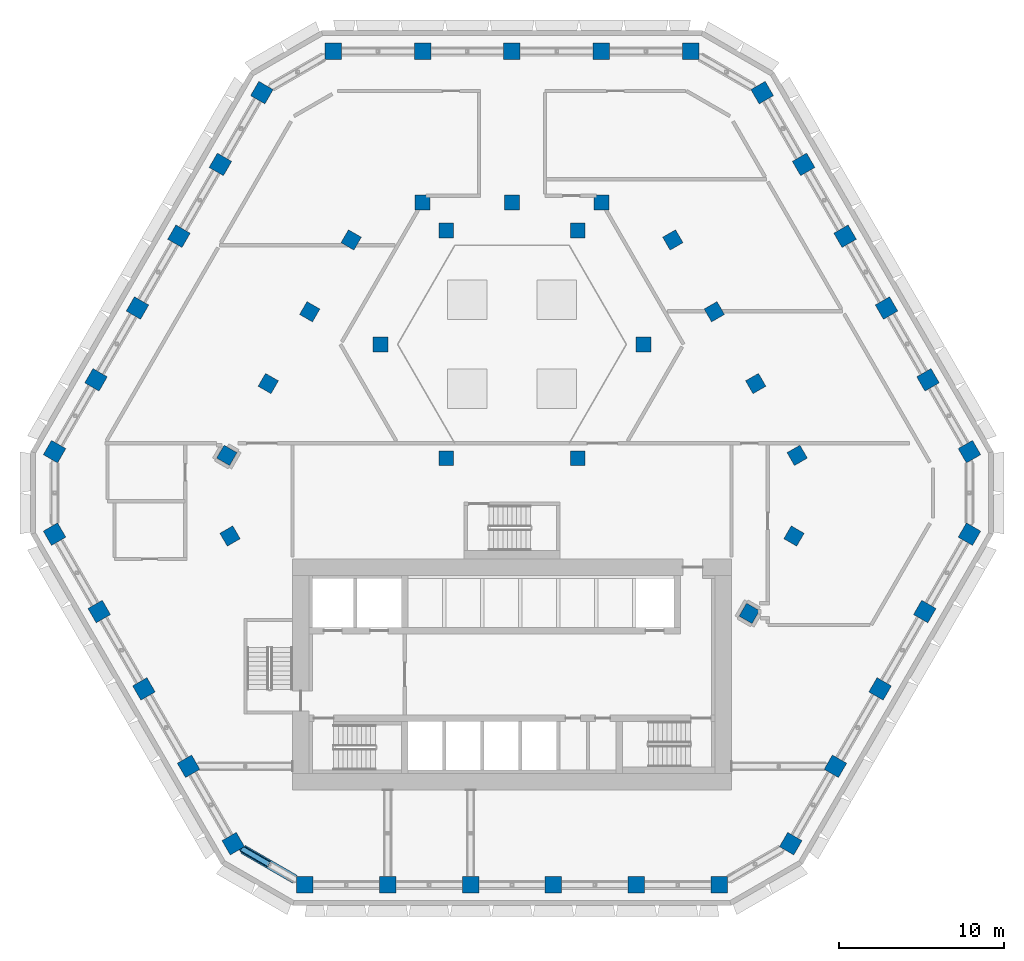
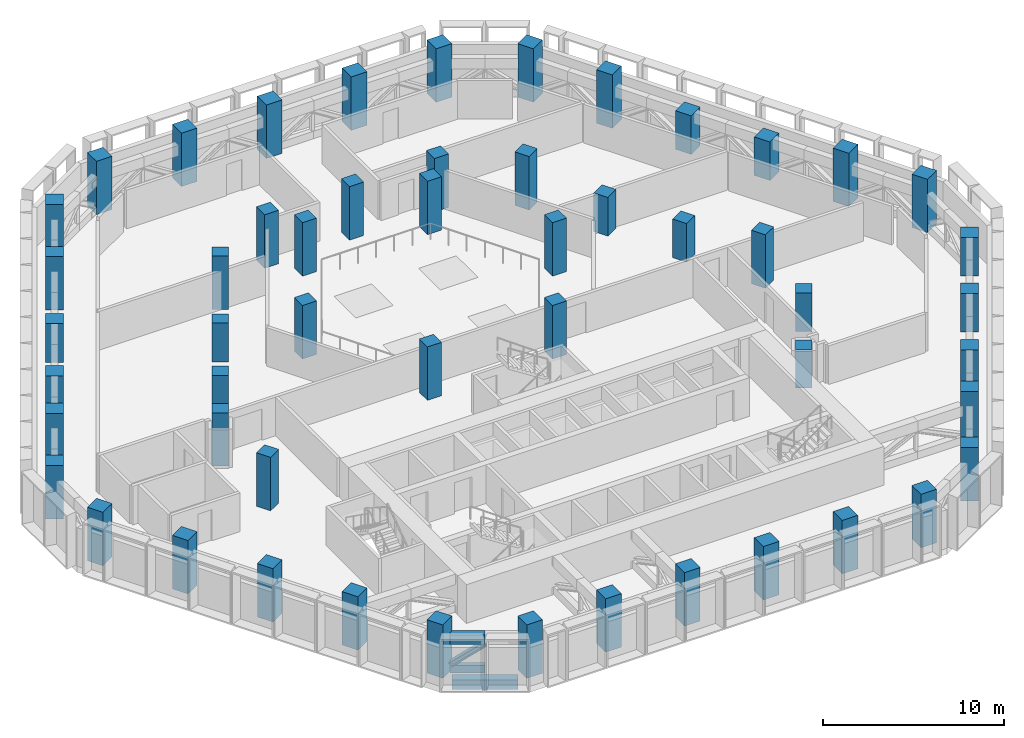
# One storey, part 1 of 23: 53 columns, 3 members, 1 beam.
"""IFC4 building model written with IfcOpenShell, lengths in metres."""

from ifc_helpers import new_model, si_unit, direction, frame, origin, origin_2d, place, context, subcontext, project, spatial, rectangle, hollow_rectangle, i_section, extrude, material, material_profile, profile_set, type_object, element, save


model = new_model("IFC4")

# Units and contexts
model_context = context("Model", 3, precision=1e-05, world=origin(), true_north=direction((0.0, 1.0)))
body_context = subcontext(model_context, "Body", "Model", "MODEL_VIEW")
ifc_project = project(units=[si_unit("LENGTHUNIT", "METRE"), si_unit("AREAUNIT", "SQUARE_METRE"), si_unit("VOLUMEUNIT", "CUBIC_METRE"), si_unit("PLANEANGLEUNIT", "RADIAN"), si_unit("MASSUNIT", "GRAM", prefix="KILO")], contexts=[model_context])

# Site, building, storey
site_placement = place(None, origin())
site = spatial("IfcSite", under=ifc_project, at=site_placement, CompositionType="ELEMENT")
building_placement = place(site_placement, origin())
building = spatial("IfcBuilding", under=site, at=building_placement, Name="Beryl Residences", CompositionType="ELEMENT")
storey_placement = place(building_placement, frame((0.0, 0.0, 108.0)))
storey = spatial("IfcBuildingStorey", under=building, at=storey_placement, Name="L33", CompositionType="ELEMENT", Elevation=108.0)

# Columns
ifc_material_1 = material(Name="Concrete C70/85", Category="concrete")
ifc_material_profile_1 = material_profile(ifc_material_1, rectangle(XDim=1.0, YDim=1.0, at=origin_2d()))
ifc_profile_set_1 = profile_set([ifc_material_profile_1], Name="Concrete C70/85")
column_type_1 = type_object("IfcColumnType", Name="C2 tube column 1000 x 1000 C70/85", PredefinedType="COLUMN", material=ifc_profile_set_1)
for number, where, z_axis, x_axis, name in (
    (1, (10.824951171875, 25.75, 0.0), (0.0, 0.0, 1.0), (-1.0, 0.0, 0.0), "C2-N1 L33"),
    (2, (5.412109375, 25.75, 0.0), (0.0, 0.0, 1.0), (-1.0, 0.0, 0.0), "C2-N2 L33"),
    (3, (-0.0009765625, 25.75, 0.0), (0.0, 0.0, 1.0), (-1.0, 0.0, 0.0), "C2-N3 L33"),
    (4, (-5.4140625, 25.75, 0.0), (0.0, 0.0, 1.0), (-1.0, 0.0, 0.0), "C2-N4 L33"),
    (5, (-10.826904296875, 25.75, 0.0), (0.0, 0.0, 1.0), (-1.0, 0.0, 0.0), "C2-N5 L33"),
    (6, (-15.155029296875, 23.2509765625, 0.0), (0.0, 0.0, 1.0), (-0.5, -0.866025403784, 0.0), "C2-NW1 L33"),
    (7, (-17.6669921875, 18.89990234375, 0.0), (0.0, 0.0, 1.0), (-0.5, -0.866025403784, 0.0), "C2-NW2 L33"),
):
    element("IfcColumn", number, at=place(storey_placement, frame(where, z_axis=z_axis, x_axis=x_axis)), inside=storey, type_object=column_type_1, Name=name, PredefinedType="COLUMN", context=body_context, shape_type="SweptSolid", body=[
        extrude(rectangle(XDim=1.0, YDim=1.0, at=origin_2d()), origin(), (0.0, 0.0, 1.0), 3.60009765625),
    ])
for number, where, z_axis, x_axis, name in (
    (8, (-20.177978515625, 14.550048828125, 0.0), (0.0, 0.0, 1.0), (-0.5, -0.866025403784, 0.0), "C2-NW3 L33"),
    (9, (-22.68994140625, 10.199951171875, 0.0), (0.0, 0.0, 1.0), (-0.5, -0.866025403784, 0.0), "C2-NW4 L33"),
):
    element("IfcColumn", number, at=place(storey_placement, frame(where, z_axis=z_axis, x_axis=x_axis)), inside=storey, type_object=column_type_1, Name=name, PredefinedType="COLUMN", context=body_context, shape_type="SweptSolid", body=[
        extrude(rectangle(XDim=1.0, YDim=1.0, at=origin_2d()), origin(), (0.0, 0.0, 1.0), 2.60009765625),
    ])
for number, where, z_axis, x_axis, name in (
    (10, (-25.201904296875, 5.85009765625, 0.0), (0.0, 0.0, 1.0), (-0.5, -0.866025403784, 0.0), "C2-NW5 L33"),
    (11, (-27.712890625, 1.5, 0.0), (0.0, 0.0, 1.0), (-0.5, -0.866025403784, 0.0), "C2-NW6 L33"),
    (12, (-27.714111328125, -3.4990234375, 0.0), (0.0, 0.0, 1.0), (0.5, -0.866025403784, 0.0), "C2-SW1 L33"),
    (13, (-25.007080078125, -8.18701171875, 0.0), (0.0, 0.0, 1.0), (0.5, -0.866025403784, 0.0), "C2-SW2 L33"),
    (14, (-22.300048828125, -12.875, 0.0), (0.0, 0.0, 1.0), (0.5, -0.866025403784, 0.0), "C2-SW3 L33"),
    (15, (-19.593994140625, -17.56298828125, 0.0), (0.0, 0.0, 1.0), (0.5, -0.866025403784, 0.0), "C2-SW4 L33"),
    (16, (-16.886962890625, -22.2509765625, 0.0), (0.0, 0.0, 1.0), (0.5, -0.866025403784, 0.0), "C2-SW5 L33"),
    (17, (-12.556884765625, -24.75, 0.0), (0.0, 0.0, 1.0), (1.0, 0.0, 0.0), "C2-S1 L33"),
    (18, (-7.533935546875, -24.75, 0.0), (0.0, 0.0, 1.0), (1.0, 0.0, 0.0), "C2-S2 L33"),
    (19, (-2.510986328125, -24.75, 0.0), (0.0, 0.0, 1.0), (1.0, 0.0, 0.0), "C2-S3 L33"),
    (20, (2.511962890625, -24.75, 0.0), (0.0, 0.0, 1.0), (1.0, 0.0, 0.0), "C2-S4 L33"),
    (21, (7.534912109375, -24.75, 0.0), (0.0, 0.0, 1.0), (1.0, 0.0, 0.0), "C2-S5 L33"),
    (22, (12.55810546875, -24.75, 0.0), (0.0, 0.0, 1.0), (1.0, 0.0, 0.0), "C2-S6 L33"),
    (23, (16.886962890625, -22.2509765625, 0.0), (0.0, 0.0, 1.0), (0.5, 0.866025403784, 0.0), "C2-SE1 L33"),
    (24, (19.593994140625, -17.56298828125, 0.0), (0.0, 0.0, 1.0), (0.5, 0.866025403784, 0.0), "C2-SE2 L33"),
):
    element("IfcColumn", number, at=place(storey_placement, frame(where, z_axis=z_axis, x_axis=x_axis)), inside=storey, type_object=column_type_1, Name=name, PredefinedType="COLUMN", context=body_context, shape_type="SweptSolid", body=[
        extrude(rectangle(XDim=1.0, YDim=1.0, at=origin_2d()), origin(), (0.0, 0.0, 1.0), 3.60009765625),
    ])
for number, where, z_axis, x_axis, name in (
    (25, (22.300048828125, -12.875, 0.0), (0.0, 0.0, 1.0), (0.5, 0.866025403784, 0.0), "C2-SE3 L33"),
    (26, (25.007080078125, -8.18701171875, 0.0), (0.0, 0.0, 1.0), (0.5, 0.866025403784, 0.0), "C2-SE4 L33"),
    (27, (27.714111328125, -3.4990234375, 0.0), (0.0, 0.0, 1.0), (0.5, 0.866025403784, 0.0), "C2-SE5 L33"),
):
    element("IfcColumn", number, at=place(storey_placement, frame(where, z_axis=z_axis, x_axis=x_axis)), inside=storey, type_object=column_type_1, Name=name, PredefinedType="COLUMN", context=body_context, shape_type="SweptSolid", body=[
        extrude(rectangle(XDim=1.0, YDim=1.0, at=origin_2d()), origin(), (0.0, 0.0, 1.0), 2.60009765625),
    ])
for number, where, z_axis, x_axis, name in (
    (28, (27.714111328125, 1.4990234375, 0.0), (0.0, 0.0, 1.0), (-0.5, 0.866025403784, 0.0), "C2-NE1 L33"),
    (29, (25.201904296875, 5.85009765625, 0.0), (0.0, 0.0, 1.0), (-0.5, 0.866025403784, 0.0), "C2-NE2 L33"),
):
    element("IfcColumn", number, at=place(storey_placement, frame(where, z_axis=z_axis, x_axis=x_axis)), inside=storey, type_object=column_type_1, Name=name, PredefinedType="COLUMN", context=body_context, shape_type="SweptSolid", body=[
        extrude(rectangle(XDim=1.0, YDim=1.0, at=origin_2d()), origin(), (0.0, 0.0, 1.0), 3.60009765625),
    ])
for number, where, z_axis, x_axis, name in (
    (30, (22.68994140625, 10.199951171875, 0.0), (0.0, 0.0, 1.0), (-0.5, 0.866025403784, 0.0), "C2-NE3 L33"),
    (31, (20.178955078125, 14.550048828125, 0.0), (0.0, 0.0, 1.0), (-0.5, 0.866025403784, 0.0), "C2-NE4 L33"),
):
    element("IfcColumn", number, at=place(storey_placement, frame(where, z_axis=z_axis, x_axis=x_axis)), inside=storey, type_object=column_type_1, Name=name, PredefinedType="COLUMN", context=body_context, shape_type="SweptSolid", body=[
        extrude(rectangle(XDim=1.0, YDim=1.0, at=origin_2d()), origin(), (0.0, 0.0, 1.0), 2.60009765625),
    ])
for number, where, z_axis, x_axis, name in (
    (32, (17.6669921875, 18.89990234375, 0.0), (0.0, 0.0, 1.0), (-0.5, 0.866025403784, 0.0), "C2-NE5 L33"),
    (33, (15.156005859375, 23.25, 0.0), (0.0, 0.0, 1.0), (-0.5, 0.866025403784, 0.0), "C2-NE6 L33"),
):
    element("IfcColumn", number, at=place(storey_placement, frame(where, z_axis=z_axis, x_axis=x_axis)), inside=storey, type_object=column_type_1, Name=name, PredefinedType="COLUMN", context=body_context, shape_type="SweptSolid", body=[
        extrude(rectangle(XDim=1.0, YDim=1.0, at=origin_2d()), origin(), (0.0, 0.0, 1.0), 3.60009765625),
    ])
ifc_material_2 = material(Name="Concrete C70/85", Category="concrete")
ifc_material_profile_2 = material_profile(ifc_material_2, rectangle(XDim=0.89990234375, YDim=0.89990234375, at=origin_2d()))
ifc_profile_set_2 = profile_set([ifc_material_profile_2], Name="Concrete C70/85")
column_type_2 = type_object("IfcColumnType", Name="IC2 interior column 900 x 900 C70/85", PredefinedType="COLUMN", material=ifc_profile_set_2)
column_placement = place(storey_placement, frame((-17.0830078125, -3.612060546875, 0.0), z_axis=(0.0, 0.0, 1.0), x_axis=(0.5, -0.866025403784, 0.0)))
element("IfcColumn", 34, at=column_placement, inside=storey, type_object=column_type_2, Name="IC2-M01 L33", PredefinedType="COLUMN", context=body_context, shape_type="SweptSolid", body=[
    extrude(rectangle(XDim=0.89990234375, YDim=0.89990234375, at=origin_2d()), origin(), (0.0, 0.0, 1.0), 3.60009765625),
])
for number, where, z_axis, x_axis, name in (
    (35, (14.3759765625, -8.300048828125, 0.0), (0.0, 0.0, 1.0), (0.5, 0.866025403784, 0.0), "IC2-M02 L33"),
    (36, (17.0830078125, -3.612060546875, 0.0), (0.0, 0.0, 1.0), (0.5, 0.866025403784, 0.0), "IC2-M03 L33"),
):
    element("IfcColumn", number, at=place(storey_placement, frame(where, z_axis=z_axis, x_axis=x_axis)), inside=storey, type_object=column_type_2, Name=name, PredefinedType="COLUMN", context=body_context, shape_type="SweptSolid", body=[
        extrude(rectangle(XDim=0.89990234375, YDim=0.89990234375, at=origin_2d()), origin(), (0.0, 0.0, 1.0), 2.60009765625),
    ])
for number, where, z_axis, x_axis, name in (
    (37, (17.278076171875, 1.27392578125, 0.0), (0.0, 0.0, 1.0), (-0.5, 0.866025403784, 0.0), "IC2-M04 L33"),
    (38, (3.98388671875, 1.10009765625, 0.0), (0.0, 0.0, 1.0), (1.0, 0.0, 0.0), "IC2-A05 L33"),
):
    element("IfcColumn", number, at=place(storey_placement, frame(where, z_axis=z_axis, x_axis=x_axis)), inside=storey, type_object=column_type_2, Name=name, PredefinedType="COLUMN", context=body_context, shape_type="SweptSolid", body=[
        extrude(rectangle(XDim=0.89990234375, YDim=0.89990234375, at=origin_2d()), origin(), (0.0, 0.0, 1.0), 3.60009765625),
    ])
for number, where, z_axis, x_axis, name in (
    (39, (14.76611328125, 5.625, 0.0), (0.0, 0.0, 1.0), (-0.5, 0.866025403784, 0.0), "IC2-M06 L33"),
    (40, (12.2548828125, 9.97509765625, 0.0), (0.0, 0.0, 1.0), (-0.5, 0.866025403784, 0.0), "IC2-M07 L33"),
):
    element("IfcColumn", number, at=place(storey_placement, frame(where, z_axis=z_axis, x_axis=x_axis)), inside=storey, type_object=column_type_2, Name=name, PredefinedType="COLUMN", context=body_context, shape_type="SweptSolid", body=[
        extrude(rectangle(XDim=0.89990234375, YDim=0.89990234375, at=origin_2d()), origin(), (0.0, 0.0, 1.0), 2.60009765625),
    ])
for number, where, z_axis, x_axis, name in (
    (41, (7.967041015625, 8.0, 0.0), (0.0, 0.0, 1.0), (1.0, 0.0, 0.0), "IC2-A08 L33"),
    (42, (9.742919921875, 14.324951171875, 0.0), (0.0, 0.0, 1.0), (-0.5, 0.866025403784, 0.0), "IC2-M09 L33"),
    (43, (5.412109375, 16.60009765625, 0.0), (0.0, 0.0, 1.0), (-1.0, 0.0, 0.0), "IC2-M10 L33"),
    (44, (3.98388671875, 14.89990234375, 0.0), (0.0, 0.0, 1.0), (1.0, 0.0, 0.0), "IC2-A11 L33"),
    (45, (-0.0009765625, 16.60009765625, 0.0), (0.0, 0.0, 1.0), (-1.0, 0.0, 0.0), "IC2-M12 L33"),
    (46, (-3.98388671875, 14.89990234375, 0.0), (0.0, 0.0, 1.0), (1.0, 0.0, 0.0), "IC2-A13 L33"),
    (47, (-5.4140625, 16.60009765625, 0.0), (0.0, 0.0, 1.0), (-1.0, 0.0, 0.0), "IC2-M14 L33"),
    (48, (-9.742919921875, 14.324951171875, 0.0), (0.0, 0.0, 1.0), (-0.5, -0.866025403784, 0.0), "IC2-M15 L33"),
    (49, (-7.967041015625, 8.0, 0.0), (0.0, 0.0, 1.0), (1.0, 0.0, 0.0), "IC2-A16 L33"),
):
    element("IfcColumn", number, at=place(storey_placement, frame(where, z_axis=z_axis, x_axis=x_axis)), inside=storey, type_object=column_type_2, Name=name, PredefinedType="COLUMN", context=body_context, shape_type="SweptSolid", body=[
        extrude(rectangle(XDim=0.89990234375, YDim=0.89990234375, at=origin_2d()), origin(), (0.0, 0.0, 1.0), 3.60009765625),
    ])
for number, where, z_axis, x_axis, name in (
    (50, (-12.25390625, 9.97509765625, 0.0), (0.0, 0.0, 1.0), (-0.5, -0.866025403784, 0.0), "IC2-M17 L33"),
    (51, (-14.76611328125, 5.625, 0.0), (0.0, 0.0, 1.0), (-0.5, -0.866025403784, 0.0), "IC2-M18 L33"),
):
    element("IfcColumn", number, at=place(storey_placement, frame(where, z_axis=z_axis, x_axis=x_axis)), inside=storey, type_object=column_type_2, Name=name, PredefinedType="COLUMN", context=body_context, shape_type="SweptSolid", body=[
        extrude(rectangle(XDim=0.89990234375, YDim=0.89990234375, at=origin_2d()), origin(), (0.0, 0.0, 1.0), 2.60009765625),
    ])
for number, where, z_axis, x_axis, name in (
    (52, (-3.98388671875, 1.10009765625, 0.0), (0.0, 0.0, 1.0), (1.0, 0.0, 0.0), "IC2-A19 L33"),
    (53, (-17.277099609375, 1.27490234375, 0.0), (0.0, 0.0, 1.0), (-0.5, -0.866025403784, 0.0), "IC2-M20 L33"),
):
    element("IfcColumn", number, at=place(storey_placement, frame(where, z_axis=z_axis, x_axis=x_axis)), inside=storey, type_object=column_type_2, Name=name, PredefinedType="COLUMN", context=body_context, shape_type="SweptSolid", body=[
        extrude(rectangle(XDim=0.89990234375, YDim=0.89990234375, at=origin_2d()), origin(), (0.0, 0.0, 1.0), 3.60009765625),
    ])

# Members
ifc_material_3 = material(Name="Steel S355", Category="steel")
ifc_material_profile_3 = material_profile(ifc_material_3, hollow_rectangle(XDim=0.300048828125, YDim=0.5, WallThickness=0.02490234375, at=origin_2d()))
ifc_profile_set_3 = profile_set([ifc_material_profile_3], Name="Steel S355")
member_type_1 = type_object("IfcMemberType", Name="BB2 belt truss bottom chord WB 500x300x25", PredefinedType="CHORD", material=ifc_profile_set_3)
member_1_placement = place(storey_placement, frame((-16.386962890625, -22.5400390625, 0.25), z_axis=(0.866109463258, -0.499854376449, 0.0), x_axis=(0.499854376449, 0.866109463258, 0.0)))
element("IfcMember", 54, at=member_1_placement, inside=storey, type_object=member_type_1, Name="Outrigger truss BB2-SW-4a L33", PredefinedType="CHORD", context=body_context, shape_type="SweptSolid", body=[
    extrude(hollow_rectangle(XDim=0.300048828125, YDim=0.5, WallThickness=0.02490234375, at=origin_2d()), origin(), (0.0, 0.0, 1.0), 1.92236328125),
])
ifc_material_4 = material(Name="Steel S355", Category="steel")
ifc_material_profile_4 = material_profile(ifc_material_4, i_section(OverallWidth=0.30908203125, OverallDepth=0.320068359375, WebThickness=0.013916015625, FlangeThickness=0.021728515625, FilletRadius=0.0166015625, at=origin_2d()))
ifc_profile_set_4 = profile_set([ifc_material_profile_4], Name="Steel S355")
member_type_2 = type_object("IfcMemberType", Name="BD2 belt truss diagonal 310UC137", PredefinedType="BRACE", material=ifc_profile_set_4)
member_2_placement = place(storey_placement, frame((-16.386962890625, -22.5400390625, 0.5), z_axis=(0.700147583274, -0.404073443954, 0.588657806817), x_axis=(0.499854376449, 0.866109463258, 0.0)))
element("IfcMember", 55, at=member_2_placement, inside=storey, type_object=member_type_2, Name="Outrigger truss BD2-SW-4a L33", PredefinedType="BRACE", context=body_context, shape_type="SweptSolid", body=[
    extrude(i_section(OverallWidth=0.30908203125, OverallDepth=0.320068359375, WebThickness=0.013916015625, FlangeThickness=0.021728515625, FilletRadius=0.0166015625, at=origin_2d()), origin(), (0.0, 0.0, 1.0), 2.378173828125),
])
ifc_material_5 = material(Name="Steel S355", Category="steel")
ifc_material_profile_5 = material_profile(ifc_material_5, hollow_rectangle(XDim=0.39990234375, YDim=0.699951171875, WallThickness=0.030029296875, at=origin_2d()))
ifc_profile_set_5 = profile_set([ifc_material_profile_5], Name="Steel S355")
member_type_3 = type_object("IfcMemberType", Name="BT2 belt truss top chord WB 700x400x30", PredefinedType="CHORD", material=ifc_profile_set_5)
member_3_placement = place(storey_placement, frame((-16.386962890625, -22.5400390625, 2.25), z_axis=(0.866109463258, -0.499854376449, 0.0), x_axis=(0.499854376449, 0.866109463258, 0.0)))
element("IfcMember", 56, at=member_3_placement, inside=storey, type_object=member_type_3, Name="Outrigger truss BT2-SW-4a L33", PredefinedType="CHORD", context=body_context, shape_type="SweptSolid", body=[
    extrude(hollow_rectangle(XDim=0.39990234375, YDim=0.699951171875, WallThickness=0.030029296875, at=origin_2d()), origin(), (0.0, 0.0, 1.0), 1.92236328125),
])

# Beam
ifc_material_6 = material(Name="Concrete C70/85", Category="concrete")
ifc_material_profile_6 = material_profile(ifc_material_6, rectangle(XDim=0.550048828125, YDim=0.64990234375, at=origin_2d()))
ifc_profile_set_6 = profile_set([ifc_material_profile_6], Name="Concrete C70/85")
beam_type = type_object("IfcBeamType", Name="SB2 spandrel beam 550 x 650 C70/85", PredefinedType="SPANDREL", material=ifc_profile_set_6)
beam_placement = place(storey_placement, frame((-16.2958984375, -22.592041015625, -0.72509765625), z_axis=(0.866093873939, -0.499881387456, 0.0), x_axis=(0.499881387456, 0.866093873939, 0.0)))
element("IfcBeam", 57, at=beam_placement, inside=storey, type_object=beam_type, Name="SB2 L33 SW-4", PredefinedType="SPANDREL", context=body_context, shape_type="SweptSolid", body=[
    extrude(rectangle(XDim=0.550048828125, YDim=0.64990234375, at=origin_2d()), origin(), (0.0, 0.0, 1.0), 3.634765625),
])

save(model, "model.ifc")
